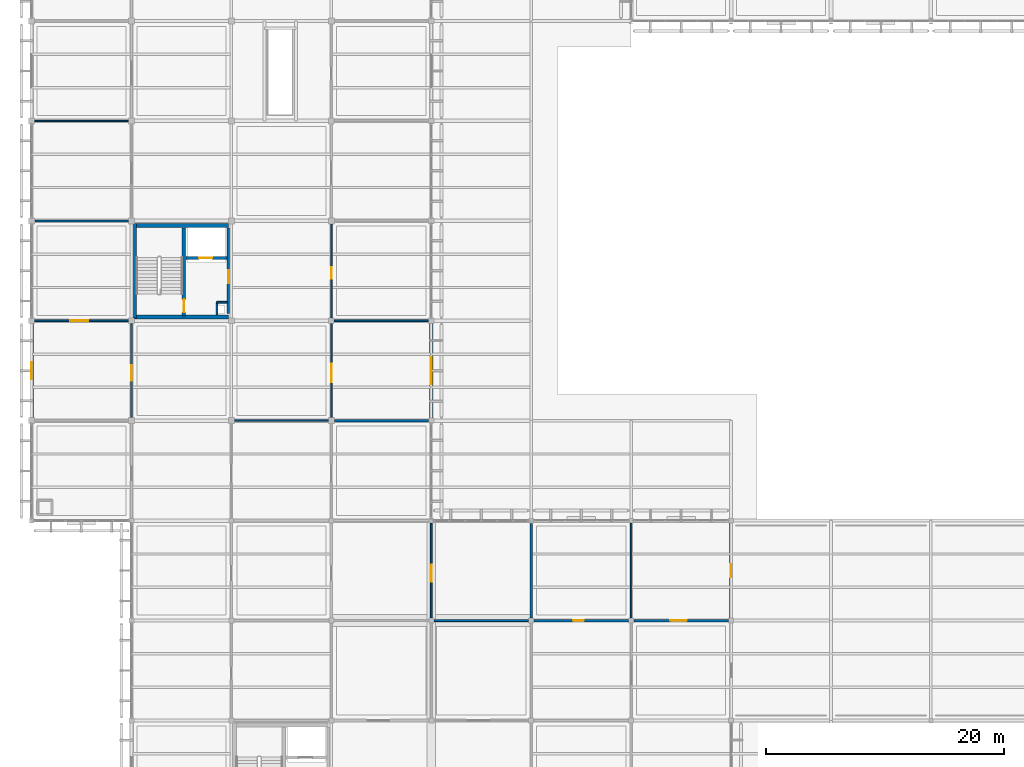
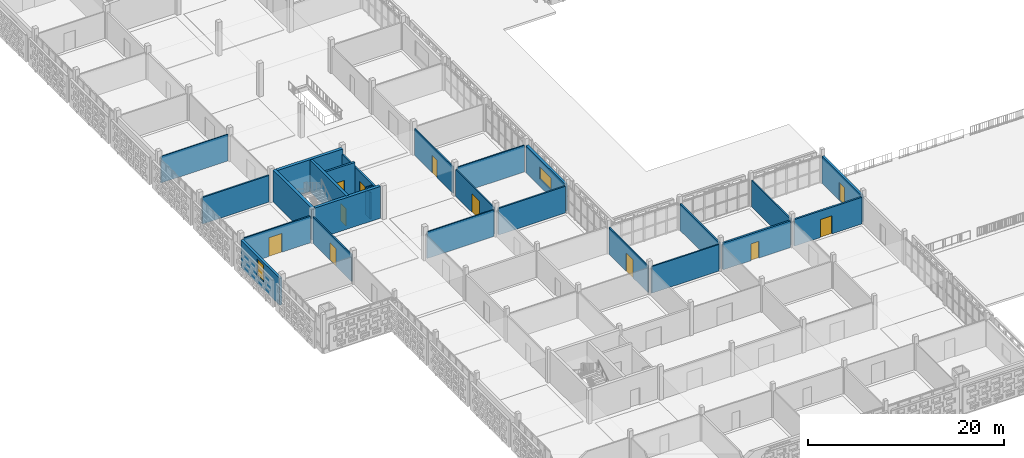
# One storey, part 98 of 166: 26 walls, 11 doors, 2 windows, 13 openings.
"""IFC4 building model written with IfcOpenShell, lengths in metres."""

import ifcopenshell
import ifcopenshell.guid

model = None  # the IFC model being written
_history = None  # IfcOwnerHistory: only IFC2X3 demands one
_inside = {}  # id of a spatial element -> (the spatial element, [elements in it])
_under = {}  # id of a project, library or spatial element -> (it, [spatial elements below it])
_declared = {}  # id of a project -> (the project, [libraries it declares])
_typed = {}  # id of a type object -> (the type object, [elements of that type])
_made_of = {}  # id of a material, layer set ... -> (it, [elements and type objects made of it])


def new_model(schema):
    """Start an empty IFC model of exactly this schema.

    Asked for "IFC4X3", IfcOpenShell would pick the latest addendum, in which some entities
    have other attributes; the version numbers below select the first issue.
    IFC2X3 requires an IfcOwnerHistory on every rooted entity: one is made here for all.
    """
    global model, _history
    if schema == "IFC4X3":
        model = ifcopenshell.file(schema_version=(4, 3, 0, 0))
    else:
        model = ifcopenshell.file(schema=schema)
    _inside.clear()
    _under.clear()
    _declared.clear()
    _typed.clear()
    _made_of.clear()
    _history = None
    if model.schema == "IFC2X3":
        org = make("IfcOrganization", Name="unknown")
        user = make(
            "IfcPersonAndOrganization",
            ThePerson=make("IfcPerson", FamilyName="unknown"),
            TheOrganization=org,
        )
        app = make(
            "IfcApplication",
            ApplicationDeveloper=org,
            Version="unknown",
            ApplicationFullName="unknown",
            ApplicationIdentifier="unknown",
        )
        _history = make(
            "IfcOwnerHistory",
            OwningUser=user,
            OwningApplication=app,
            ChangeAction="ADDED",
            CreationDate=0,
        )
    return model


def make(cls, **values):
    """One entity of the class cls with the attributes given. An attribute that is None is left unset."""
    return model.create_entity(
        cls, **{name: value for name, value in values.items() if value is not None}
    )


def rooted(cls, **values):
    """An entity with a GlobalId (a new one), such as an element, a storey or a relation."""
    return make(cls, GlobalId=ifcopenshell.guid.new(), OwnerHistory=_history, **values)


def si_unit(unit_type, name, prefix=None):
    """IfcSIUnit, for example si_unit("LENGTHUNIT", "METRE", prefix="MILLI")."""
    return make("IfcSIUnit", UnitType=unit_type, Prefix=prefix, Name=name)


def assignment(units):
    """IfcUnitAssignment: the units of a project."""
    return None if units is None else make("IfcUnitAssignment", Units=units)


def point(xyz):
    """IfcCartesianPoint."""
    return None if xyz is None else make("IfcCartesianPoint", Coordinates=xyz)


def direction(xyz):
    """IfcDirection."""
    return None if xyz is None else make("IfcDirection", DirectionRatios=xyz)


def frame(location, z_axis=None, x_axis=None):
    """IfcAxis2Placement3D, a coordinate frame: its origin and axes. An axis left out is left unset."""
    return make(
        "IfcAxis2Placement3D",
        Location=point(location),
        Axis=direction(z_axis),
        RefDirection=direction(x_axis),
    )


def frame_2d(location, x_axis=None):
    """IfcAxis2Placement2D, a coordinate frame in the plane: its origin and x axis."""
    return make(
        "IfcAxis2Placement2D", Location=point(location), RefDirection=direction(x_axis)
    )


def origin():
    """The frame at (0, 0, 0) with its axes left unset."""
    return frame((0.0, 0.0, 0.0))


def place(relative_to, where):
    """IfcLocalPlacement: puts the frame where relative to a parent placement (None: the world)."""
    return make(
        "IfcLocalPlacement", PlacementRelTo=relative_to, RelativePlacement=where
    )


def context(
    kind, dimensions, precision=None, world=None, true_north=None, identifier=None
):
    """IfcGeometricRepresentationContext, for example the 3D "Model" context."""
    return make(
        "IfcGeometricRepresentationContext",
        ContextIdentifier=identifier,
        ContextType=kind,
        CoordinateSpaceDimension=dimensions,
        Precision=precision,
        WorldCoordinateSystem=world,
        TrueNorth=true_north,
    )


def subcontext(parent, identifier, kind, view, scale=None):
    """IfcGeometricRepresentationSubContext, for example "Body" below "Model"."""
    return make(
        "IfcGeometricRepresentationSubContext",
        ContextIdentifier=identifier,
        ContextType=kind,
        ParentContext=parent,
        TargetScale=scale,
        TargetView=view,
    )


def project(units=None, contexts=None):
    """IfcProject with its units and contexts."""
    return rooted(
        "IfcProject",
        Name="project",
        RepresentationContexts=contexts,
        UnitsInContext=assignment(units),
    )


def spatial(cls, under=None, at=None, **own):
    """A site, building, storey or space (cls), placed at a placement, below another one or the project."""
    s = rooted(cls, ObjectPlacement=at, **own)
    if under is not None:
        _under.setdefault(under.id(), (under, []))[1].append(s)
    return s


def profile(cls, at=None, kind="AREA", **sizes):
    """A parametric profile (cls). Its sizes go by their IFC names, for example OverallWidth=200.0."""
    return make(cls, ProfileType=kind, Position=at, **sizes)


def rectangle(**sizes):
    """IfcRectangleProfileDef."""
    return profile("IfcRectangleProfileDef", **sizes)


def extrude(swept, where, along, depth):
    """IfcExtrudedAreaSolid: the profile swept, set in the frame where, extruded along a direction by depth."""
    return make(
        "IfcExtrudedAreaSolid",
        SweptArea=swept,
        Position=where,
        ExtrudedDirection=direction(along),
        Depth=depth,
    )


def shape(context_of_items, identifier, shape_type, items):
    """IfcShapeRepresentation: the items that make up one representation, for example the "Body"."""
    return make(
        "IfcShapeRepresentation",
        ContextOfItems=context_of_items,
        RepresentationIdentifier=identifier,
        RepresentationType=shape_type,
        Items=items,
    )


def material(Name=None, Category=None):
    """IfcMaterial."""
    return make("IfcMaterial", Name=Name, Category=Category)


def layer(
    of_material, thickness, ventilated=None, Name=None, Category=None, Priority=None
):
    """IfcMaterialLayer: one layer of a wall or slab, of a material (None: an air gap)."""
    return make(
        "IfcMaterialLayer",
        Material=of_material,
        LayerThickness=thickness,
        IsVentilated=ventilated,
        Name=Name,
        Category=Category,
        Priority=Priority,
    )


def layer_set(layers, Name=None):
    """IfcMaterialLayerSet."""
    return make("IfcMaterialLayerSet", MaterialLayers=layers, LayerSetName=Name)


def made_of(thing, what):
    """Note that an element or type object is made of a material, layer set ...; save() writes the relation."""
    if what is not None:
        _made_of.setdefault(what.id(), (what, []))[1].append(thing)
    return thing


def type_object(cls, material=None, **own):
    """A type object (cls), such as IfcWallType, which elements share."""
    return made_of(rooted(cls, **own), material)


def element(
    cls,
    number,
    at=None,
    inside=None,
    cuts=None,
    type_object=None,
    material=None,
    context=None,
    identifier="Body",
    shape_type=None,
    held_by="IfcProductDefinitionShape",
    body=None,
    shapes=None,
    **own,
):
    """One element of the class cls, such as IfcWall. Its Tag is "e" and its number.

    at: its placement. inside: the storey or other place that contains it. cuts: it is an
    opening in that element (IfcRelVoidsElement). A single representation is given by context,
    identifier, shape_type and body (its items); several are given by shapes. held_by: the class
    of the entity that holds the representations. save() writes the other relations.
    """
    e = rooted(cls, Tag="e%d" % number, ObjectPlacement=at, **own)
    if body is not None:
        shapes = [shape(context, identifier, shape_type, body)]
    if shapes is not None:
        e.Representation = make(held_by, Representations=shapes)
    if inside is not None:
        _inside.setdefault(inside.id(), (inside, []))[1].append(e)
    if cuts is not None:
        rooted(
            "IfcRelVoidsElement", RelatingBuildingElement=cuts, RelatedOpeningElement=e
        )
    if type_object is not None:
        _typed.setdefault(type_object.id(), (type_object, []))[1].append(e)
    return made_of(e, material)


def fill(opening, filler):
    """IfcRelFillsElement: the door or window that sits in an opening."""
    return rooted(
        "IfcRelFillsElement",
        RelatingOpeningElement=opening,
        RelatedBuildingElement=filler,
    )


def aggregate(whole, parts):
    """IfcRelAggregates: a whole, such as a stair, and the parts it consists of."""
    return rooted("IfcRelAggregates", RelatingObject=whole, RelatedObjects=parts)


def save(model, path):
    """Write the relations noted so far, then the file.

    IfcRelAggregates (storeys below a building ...), IfcRelContainedInSpatialStructure (elements
    in a storey), IfcRelDefinesByType, IfcRelAssociatesMaterial and IfcRelDeclares: one each for
    every whole, place, type object, material and project.
    """
    for whole, parts in _under.values():
        aggregate(whole, parts)
    for where, things in _inside.values():
        rooted(
            "IfcRelContainedInSpatialStructure",
            RelatedElements=things,
            RelatingStructure=where,
        )
    for kind, things in _typed.values():
        rooted("IfcRelDefinesByType", RelatedObjects=things, RelatingType=kind)
    for what, things in _made_of.values():
        rooted("IfcRelAssociatesMaterial", RelatedObjects=things, RelatingMaterial=what)
    for by, libraries in _declared.values():
        rooted("IfcRelDeclares", RelatingContext=by, RelatedDefinitions=libraries)
    model.write(path)


model = new_model("IFC4")

# Units and contexts
model_context = context("Model", 3, precision=1e-05, world=origin(), true_north=direction((0.0, 1.0)))
body_context = subcontext(model_context, "Body", "Model", "MODEL_VIEW")
ifc_project = project(units=[si_unit("LENGTHUNIT", "METRE"), si_unit("AREAUNIT", "SQUARE_METRE"), si_unit("VOLUMEUNIT", "CUBIC_METRE"), si_unit("PLANEANGLEUNIT", "RADIAN"), si_unit("MASSUNIT", "GRAM", prefix="KILO")], contexts=[model_context])

# Site, building, storey
site_placement = place(None, origin())
site = spatial("IfcSite", under=ifc_project, at=site_placement, CompositionType="ELEMENT")
building_placement = place(site_placement, origin())
building = spatial("IfcBuilding", under=site, at=building_placement, Name="Varnapada Polytechnic", CompositionType="ELEMENT")
storey_placement = place(building_placement, frame((0.0, 0.0, 9.60009765625)))
storey = spatial("IfcBuildingStorey", under=building, at=storey_placement, Name="L02", CompositionType="ELEMENT", Elevation=9.60009765625)

# Wall, opening, door
ifc_material_1 = material(Name="Autoclaved Aerated Concrete Block AAC-600", Category="concrete")
ifc_layer_1 = layer(ifc_material_1, 0.199951171875)
ifc_layer_set_1 = layer_set([ifc_layer_1], Name="Autoclaved Aerated Concrete Block AAC-600")
wall_type_1 = type_object("IfcWallType", Name="Interior Wall IW-01", PredefinedType="PARTITIONING", material=ifc_layer_set_1)
wall_1_placement = place(storey_placement, frame((16.5400390625, 66.60009765625, 0.0), z_axis=(0.0, 0.0, 1.0), x_axis=(0.0, -1.0, 0.0)))
wall_1 = element("IfcWall", 1, at=wall_1_placement, inside=storey, type_object=wall_type_1, Name="L02 C2 firefighting lobby east wall", PredefinedType="PARTITIONING", context=body_context, shape_type="SweptSolid", body=[
    extrude(rectangle(XDim=7.2001953125, YDim=0.199951171875, at=frame_2d((3.60009765625, 0.0))), origin(), (0.0, 0.0, 1.0), 3.31982421875),
])
opening_1_placement = place(wall_1_placement, frame((3.550048828125, 0.0, 0.0)))
opening_1 = element("IfcOpeningElement", 2, at=opening_1_placement, cuts=wall_1, Name="Opening D-1084", PredefinedType="OPENING", context=body_context, shape_type="SweptSolid", body=[
    extrude(rectangle(XDim=1.10009765625, YDim=2.14990234375, at=frame_2d((0.550048828125, 1.074951171875))), frame((0.0, 0.10986328125, 0.0), z_axis=(0.0, -1.0, 0.0), x_axis=(1.0, 0.0, 0.0)), (0.0, 0.0, 1.0), 0.219970703125),
])
ifc_material_2 = material(Name="Galvanized Steel Z275", Category="steel")
door_type_1 = type_object("IfcDoorType", Name="Interior Door ID-01", OperationType="NOTDEFINED", PredefinedType="DOOR", material=ifc_material_2)
door_1_placement = place(opening_1_placement, frame((1.10009765625, 0.0, 0.0), z_axis=(0.0, 0.0, 1.0), x_axis=(-1.0, 0.0, 0.0)))
door_1 = element("IfcDoor", 3, at=door_1_placement, inside=storey, type_object=door_type_1, Name="L02 C2 lobby fire door D-1084", OperationType="SINGLE_SWING_RIGHT", OverallHeight=2.14990234375, OverallWidth=1.10009765625, PredefinedType="DOOR", context=body_context, shape_type="SweptSolid", body=[
    extrude(rectangle(XDim=1.10009765625, YDim=2.14990234375, at=frame_2d((0.550048828125, 1.074951171875))), frame((0.0, 0.02490234375, 0.0), z_axis=(0.0, -1.0, 0.0), x_axis=(1.0, 0.0, 0.0)), (0.0, 0.0, 1.0), 0.050048828125),
])
fill(opening_1, door_1)

# Walls
ifc_layer_2 = layer(ifc_material_1, 0.14990234375)
ifc_layer_set_2 = layer_set([ifc_layer_2], Name="Autoclaved Aerated Concrete Block AAC-600")
wall_type_2 = type_object("IfcWallType", Name="Interior Wall IW-02", PredefinedType="PARTITIONING", material=ifc_layer_set_2)
wall_2_placement = place(storey_placement, frame((15.580078125, 60.360107421875, 0.0), z_axis=(0.0, 0.0, 1.0), x_axis=(0.0, -1.0, 0.0)))
element("IfcWall", 4, at=wall_2_placement, inside=storey, type_object=wall_type_2, Name="L02 C2 riser shaft west wall", PredefinedType="PARTITIONING", context=body_context, shape_type="SweptSolid", body=[
    extrude(rectangle(XDim=1.06005859375, YDim=0.14990234375, at=frame_2d((0.530029296875, 0.0))), origin(), (0.0, 0.0, 1.0), 3.31982421875),
])
wall_3_placement = place(storey_placement, frame((15.580078125, 60.360107421875, 0.0), z_axis=(0.0, 0.0, 1.0), x_axis=(1.0, 0.0, 0.0)))
element("IfcWall", 5, at=wall_3_placement, inside=storey, type_object=wall_type_2, Name="L02 C2 riser shaft north wall", PredefinedType="PARTITIONING", context=body_context, shape_type="SweptSolid", body=[
    extrude(rectangle(XDim=0.85986328125, YDim=0.14990234375, at=frame_2d((0.429931640625, 0.0))), origin(), (0.0, 0.0, 1.0), 3.31982421875),
])
ifc_material_3 = material(Name="Gypsum Plasterboard Acoustic Partition")
ifc_layer_3 = layer(ifc_material_3, 0.125)
ifc_layer_set_3 = layer_set([ifc_layer_3], Name="Gypsum Plasterboard Acoustic Partition")
wall_type_3 = type_object("IfcWallType", Name="Interior Wall IW-03", PredefinedType="PARTITIONING", material=ifc_layer_set_3)
wall_4_placement = place(storey_placement, frame((17.070068359375, 50.39990234375, 0.0), z_axis=(0.0, 0.0, 1.0), x_axis=(1.0, 0.0, 0.0)))
element("IfcWall", 6, at=wall_4_placement, inside=storey, type_object=wall_type_3, Name="L02 interior partition IW-L02-02-05-H", PredefinedType="PARTITIONING", context=body_context, shape_type="SweptSolid", body=[
    extrude(rectangle(XDim=7.85986328125, YDim=0.125, at=frame_2d((3.929931640625, 0.0))), origin(), (0.0, 0.0, 1.0), 3.31982421875),
])

# Wall, opening, door
ifc_material_4 = material(Name="Moisture-Resistant Cement Board Partition")
ifc_layer_4 = layer(ifc_material_4, 0.139892578125)
ifc_layer_set_4 = layer_set([ifc_layer_4], Name="Moisture-Resistant Cement Board Partition")
wall_type_4 = type_object("IfcWallType", Name="Interior Wall IW-04", PredefinedType="PARTITIONING", material=ifc_layer_set_4)
wall_5_placement = place(storey_placement, frame((8.39990234375, 50.669921875, 0.0), z_axis=(0.0, 0.0, 1.0), x_axis=(0.0, 1.0, 0.0)))
wall_5 = element("IfcWall", 7, at=wall_5_placement, inside=storey, type_object=wall_type_4, Name="L02 interior partition IW-L02-00-06-V", PredefinedType="PARTITIONING", context=body_context, shape_type="SweptSolid", body=[
    extrude(rectangle(XDim=7.8701171875, YDim=0.139892578125, at=frame_2d((3.93505859375, 0.0))), origin(), (0.0, 0.0, 1.0), 3.31982421875),
])
opening_2_placement = place(wall_5_placement, frame((3.10009765625, 0.0, 0.0)))
opening_2 = element("IfcOpeningElement", 8, at=opening_2_placement, cuts=wall_5, Name="Opening D-1097", PredefinedType="OPENING", context=body_context, shape_type="SweptSolid", body=[
    extrude(rectangle(XDim=1.300048828125, YDim=2.199951171875, at=frame_2d((0.64990234375, 1.10009765625))), frame((0.0, 0.079833984375, 0.0), z_axis=(0.0, -1.0, 0.0), x_axis=(1.0, 0.0, 0.0)), (0.0, 0.0, 1.0), 0.159912109375),
])
ifc_material_5 = material(Name="Acoustic Laminated Timber Leaf", Category="wood")
door_type_2 = type_object("IfcDoorType", Name="Interior Door ID-11", OperationType="NOTDEFINED", PredefinedType="DOOR", material=ifc_material_5)
door_2_placement = place(opening_2_placement, frame((1.300048828125, 0.0, 0.0), z_axis=(0.0, 0.0, 1.0), x_axis=(-1.0, 0.0, 0.0)))
door_2 = element("IfcDoor", 9, at=door_2_placement, inside=storey, type_object=door_type_2, Name="L02 interior room door D-1097", OperationType="SINGLE_SWING_RIGHT", OverallHeight=2.199951171875, OverallWidth=1.300048828125, PredefinedType="DOOR", context=body_context, shape_type="SweptSolid", body=[
    extrude(rectangle(XDim=1.300048828125, YDim=2.199951171875, at=frame_2d((0.64990234375, 1.10009765625))), frame((0.0, 0.02490234375, 0.0), z_axis=(0.0, -1.0, 0.0), x_axis=(1.0, 0.0, 0.0)), (0.0, 0.0, 1.0), 0.050048828125),
])
fill(opening_2, door_2)

wall_6_placement = place(storey_placement, frame((25.199951171875, 50.669921875, 0.0), z_axis=(0.0, 0.0, 1.0), x_axis=(0.0, 1.0, 0.0)))
wall_6 = element("IfcWall", 10, at=wall_6_placement, inside=storey, type_object=wall_type_4, Name="L02 interior partition IW-L02-02-06-V", PredefinedType="PARTITIONING", context=body_context, shape_type="SweptSolid", body=[
    extrude(rectangle(XDim=7.8701171875, YDim=0.139892578125, at=frame_2d((3.93505859375, 0.0))), origin(), (0.0, 0.0, 1.0), 3.31982421875),
])
opening_3_placement = place(wall_6_placement, frame((2.97509765625, 0.0, 0.0)))
opening_3 = element("IfcOpeningElement", 11, at=opening_3_placement, cuts=wall_6, Name="Opening D-1115", PredefinedType="OPENING", context=body_context, shape_type="SweptSolid", body=[
    extrude(rectangle(XDim=1.550048828125, YDim=2.35009765625, at=frame_2d((0.77490234375, 1.175048828125))), frame((0.0, 0.079833984375, 0.0), z_axis=(0.0, -1.0, 0.0), x_axis=(1.0, 0.0, 0.0)), (0.0, 0.0, 1.0), 0.159912109375),
])
door_type_3 = type_object("IfcDoorType", Name="Interior Door ID-12", OperationType="NOTDEFINED", PredefinedType="DOOR", material=ifc_material_2)
door_3_placement = place(opening_3_placement, frame((1.550048828125, 0.0, 0.0), z_axis=(0.0, 0.0, 1.0), x_axis=(-1.0, 0.0, 0.0)))
door_3 = element("IfcDoor", 12, at=door_3_placement, inside=storey, type_object=door_type_3, Name="L02 interior room door D-1115", OperationType="SINGLE_SWING_RIGHT", OverallHeight=2.35009765625, OverallWidth=1.550048828125, PredefinedType="DOOR", context=body_context, shape_type="SweptSolid", body=[
    extrude(rectangle(XDim=1.550048828125, YDim=2.35009765625, at=frame_2d((0.77490234375, 1.175048828125))), frame((0.0, 0.02490234375, 0.0), z_axis=(0.0, -1.0, 0.0), x_axis=(1.0, 0.0, 0.0)), (0.0, 0.0, 1.0), 0.050048828125),
])
fill(opening_3, door_3)

wall_7_placement = place(storey_placement, frame((25.199951171875, 59.06005859375, 0.0), z_axis=(0.0, 0.0, 1.0), x_axis=(0.0, 1.0, 0.0)))
wall_7 = element("IfcWall", 13, at=wall_7_placement, inside=storey, type_object=wall_type_4, Name="L02 interior partition IW-L02-02-07-V", PredefinedType="PARTITIONING", context=body_context, shape_type="SweptSolid", body=[
    extrude(rectangle(XDim=7.869873046875, YDim=0.139892578125, at=frame_2d((3.93505859375, 0.0))), origin(), (0.0, 0.0, 1.0), 3.31982421875),
])
opening_4_placement = place(wall_7_placement, frame((3.27490234375, 0.0, 0.0)))
opening_4 = element("IfcOpeningElement", 14, at=opening_4_placement, cuts=wall_7, Name="Opening D-1116", PredefinedType="OPENING", context=body_context, shape_type="SweptSolid", body=[
    extrude(rectangle(XDim=0.949951171875, YDim=2.14990234375, at=frame_2d((0.47509765625, 1.074951171875))), frame((0.0, 0.079833984375, 0.0), z_axis=(0.0, -1.0, 0.0), x_axis=(1.0, 0.0, 0.0)), (0.0, 0.0, 1.0), 0.159912109375),
])
ifc_material_6 = material(Name="Moisture-Resistant HPL Timber", Category="wood")
door_type_4 = type_object("IfcDoorType", Name="Interior Door ID-03", OperationType="NOTDEFINED", PredefinedType="DOOR", material=ifc_material_6)
door_4_placement = place(opening_4_placement, origin())
door_4 = element("IfcDoor", 15, at=door_4_placement, inside=storey, type_object=door_type_4, Name="L02 interior room door D-1116", OperationType="SINGLE_SWING_LEFT", OverallHeight=2.14990234375, OverallWidth=0.949951171875, PredefinedType="DOOR", context=body_context, shape_type="SweptSolid", body=[
    extrude(rectangle(XDim=0.949951171875, YDim=2.14990234375, at=frame_2d((0.47509765625, 1.074951171875))), frame((0.0, 0.02490234375, 0.0), z_axis=(0.0, -1.0, 0.0), x_axis=(1.0, 0.0, 0.0)), (0.0, 0.0, 1.0), 0.050048828125),
])
fill(opening_4, door_4)

wall_8_placement = place(storey_placement, frame((33.60009765625, 33.830078125, 0.0), z_axis=(0.0, 0.0, 1.0), x_axis=(0.0, 1.0, 0.0)))
wall_8 = element("IfcWall", 16, at=wall_8_placement, inside=storey, type_object=wall_type_4, Name="L02 interior partition IW-L02-03-04-V", PredefinedType="PARTITIONING", context=body_context, shape_type="SweptSolid", body=[
    extrude(rectangle(XDim=7.9599609375, YDim=0.139892578125, at=frame_2d((3.97998046875, 0.0))), origin(), (0.0, 0.0, 1.0), 3.31982421875),
])
opening_5_placement = place(wall_8_placement, frame((3.050048828125, 0.0, 0.0)))
opening_5 = element("IfcOpeningElement", 17, at=opening_5_placement, cuts=wall_8, Name="Opening D-1126", PredefinedType="OPENING", context=body_context, shape_type="SweptSolid", body=[
    extrude(rectangle(XDim=1.39990234375, YDim=2.25, at=frame_2d((0.699951171875, 1.125))), frame((0.0, 0.079833984375, 0.0), z_axis=(0.0, -1.0, 0.0), x_axis=(1.0, 0.0, 0.0)), (0.0, 0.0, 1.0), 0.159912109375),
])
ifc_material_7 = material(Name="Powder-Coated Aluminium 6063-T6", Category="aluminium")
door_type_5 = type_object("IfcDoorType", Name="Interior Door ID-06", OperationType="NOTDEFINED", PredefinedType="DOOR", material=ifc_material_7)
door_5_placement = place(opening_5_placement, origin())
door_5 = element("IfcDoor", 18, at=door_5_placement, inside=storey, type_object=door_type_5, Name="L02 interior room door D-1126", OperationType="SINGLE_SWING_LEFT", OverallHeight=2.25, OverallWidth=1.39990234375, PredefinedType="DOOR", context=body_context, shape_type="SweptSolid", body=[
    extrude(rectangle(XDim=1.39990234375, YDim=2.25, at=frame_2d((0.699951171875, 1.125))), frame((0.0, 0.02490234375, 0.0), z_axis=(0.0, -1.0, 0.0), x_axis=(1.0, 0.0, 0.0)), (0.0, 0.0, 1.0), 0.050048828125),
])
fill(opening_5, door_5)

# Wall
wall_9_placement = place(storey_placement, frame((25.4599609375, 58.800048828125, 0.0), z_axis=(0.0, 0.0, 1.0), x_axis=(1.0, 0.0, 0.0)))
element("IfcWall", 19, at=wall_9_placement, inside=storey, type_object=wall_type_4, Name="L02 interior partition IW-L02-03-06-H", PredefinedType="PARTITIONING", context=body_context, shape_type="SweptSolid", body=[
    extrude(rectangle(XDim=7.900146484375, YDim=0.139892578125, at=frame_2d((3.9501953125, 0.0))), origin(), (0.0, 0.0, 1.0), 3.31982421875),
])

# Wall, opening, door
ifc_material_8 = material(Name="Cross-laminated timber CLT C24", Category="wood")
ifc_layer_5 = layer(ifc_material_8, 0.159912109375)
ifc_layer_set_5 = layer_set([ifc_layer_5], Name="Cross-laminated timber CLT C24")
wall_type_5 = type_object("IfcWallType", Name="Interior Wall IW-05", PredefinedType="PARTITIONING", material=ifc_layer_set_5)
wall_10_placement = place(storey_placement, frame((0.260009765625, 58.800048828125, 0.0), z_axis=(0.0, 0.0, 1.0), x_axis=(1.0, 0.0, 0.0)))
wall_10 = element("IfcWall", 20, at=wall_10_placement, inside=storey, type_object=wall_type_5, Name="L02 interior partition IW-L02-00-06-H", PredefinedType="PARTITIONING", context=body_context, shape_type="SweptSolid", body=[
    extrude(rectangle(XDim=7.8798828125, YDim=0.159912109375, at=frame_2d((3.93994140625, 0.0))), origin(), (0.0, 0.0, 1.0), 3.31982421875),
])
opening_6_placement = place(wall_10_placement, frame((2.97509765625, 0.0, 0.0)))
opening_6 = element("IfcOpeningElement", 21, at=opening_6_placement, cuts=wall_10, Name="Opening D-1098", PredefinedType="OPENING", context=body_context, shape_type="SweptSolid", body=[
    extrude(rectangle(XDim=1.550048828125, YDim=2.35009765625, at=frame_2d((0.77490234375, 1.175048828125))), frame((0.0, 0.08984375, 0.0), z_axis=(0.0, -1.0, 0.0), x_axis=(1.0, 0.0, 0.0)), (0.0, 0.0, 1.0), 0.179931640625),
])
door_6_placement = place(opening_6_placement, origin())
door_6 = element("IfcDoor", 22, at=door_6_placement, inside=storey, type_object=door_type_3, Name="L02 interior room door D-1098", OperationType="SINGLE_SWING_LEFT", OverallHeight=2.35009765625, OverallWidth=1.550048828125, PredefinedType="DOOR", context=body_context, shape_type="SweptSolid", body=[
    extrude(rectangle(XDim=1.550048828125, YDim=2.35009765625, at=frame_2d((0.77490234375, 1.175048828125))), frame((0.0, 0.02490234375, 0.0), z_axis=(0.0, -1.0, 0.0), x_axis=(1.0, 0.0, 0.0)), (0.0, 0.0, 1.0), 0.050048828125),
])
fill(opening_6, door_6)

# Walls
wall_11_placement = place(storey_placement, frame((33.830078125, 33.60009765625, 0.0), z_axis=(0.0, 0.0, 1.0), x_axis=(1.0, 0.0, 0.0)))
element("IfcWall", 23, at=wall_11_placement, inside=storey, type_object=wall_type_5, Name="L02 interior partition IW-L02-04-03-H", PredefinedType="PARTITIONING", context=body_context, shape_type="SweptSolid", body=[
    extrude(rectangle(XDim=7.93994140625, YDim=0.159912109375, at=frame_2d((3.969970703125, 0.0))), origin(), (0.0, 0.0, 1.0), 3.31982421875),
])
ifc_material_9 = material(Name="Acoustic Double-Stud Studio Partition")
ifc_layer_6 = layer(ifc_material_9, 0.179931640625)
ifc_layer_set_6 = layer_set([ifc_layer_6], Name="Acoustic Double-Stud Studio Partition")
wall_type_6 = type_object("IfcWallType", Name="Interior Wall IW-06", PredefinedType="PARTITIONING", material=ifc_layer_set_6)
wall_12_placement = place(storey_placement, frame((0.27001953125, 67.199951171875, 0.0), z_axis=(0.0, 0.0, 1.0), x_axis=(1.0, 0.0, 0.0)))
element("IfcWall", 24, at=wall_12_placement, inside=storey, type_object=wall_type_6, Name="L02 interior partition IW-L02-00-07-H", PredefinedType="PARTITIONING", context=body_context, shape_type="SweptSolid", body=[
    extrude(rectangle(XDim=7.85986328125, YDim=0.179931640625, at=frame_2d((3.929931640625, 0.0))), origin(), (0.0, 0.0, 1.0), 3.31982421875),
])
wall_13_placement = place(storey_placement, frame((25.469970703125, 50.39990234375, 0.0), z_axis=(0.0, 0.0, 1.0), x_axis=(1.0, 0.0, 0.0)))
element("IfcWall", 25, at=wall_13_placement, inside=storey, type_object=wall_type_6, Name="L02 interior partition IW-L02-03-05-H", PredefinedType="PARTITIONING", context=body_context, shape_type="SweptSolid", body=[
    extrude(rectangle(XDim=7.900146484375, YDim=0.179931640625, at=frame_2d((3.9501953125, 0.0))), origin(), (0.0, 0.0, 1.0), 3.31982421875),
])
wall_14_placement = place(storey_placement, frame((42.0, 33.830078125, 0.0), z_axis=(0.0, 0.0, 1.0), x_axis=(0.0, 1.0, 0.0)))
element("IfcWall", 26, at=wall_14_placement, inside=storey, type_object=wall_type_6, Name="L02 interior partition IW-L02-04-04-V", PredefinedType="PARTITIONING", context=body_context, shape_type="SweptSolid", body=[
    extrude(rectangle(XDim=7.949951171875, YDim=0.179931640625, at=frame_2d((3.97509765625, 0.0))), origin(), (0.0, 0.0, 1.0), 3.31982421875),
])
ifc_material_10 = material(Name="Operable Acoustic Seminar Partition")
ifc_layer_7 = layer(ifc_material_10, 0.10009765625)
ifc_layer_set_7 = layer_set([ifc_layer_7], Name="Operable Acoustic Seminar Partition")
wall_type_7 = type_object("IfcWallType", Name="Interior Wall IW-08", PredefinedType="MOVABLE", material=ifc_layer_set_7)
wall_15_placement = place(storey_placement, frame((0.260009765625, 75.60009765625, 0.0), z_axis=(0.0, 0.0, 1.0), x_axis=(1.0, 0.0, 0.0)))
element("IfcWall", 27, at=wall_15_placement, inside=storey, type_object=wall_type_7, Name="L02 interior partition IW-L02-00-08-H", PredefinedType="MOVABLE", context=body_context, shape_type="SweptSolid", body=[
    extrude(rectangle(XDim=7.8798828125, YDim=0.10009765625, at=frame_2d((3.93994140625, 0.0))), origin(), (0.0, 0.0, 1.0), 3.31982421875),
])

# Wall, opening, door
ifc_material_11 = material(Name="Heavy Acoustic Auditorium Baffle Wall")
ifc_layer_8 = layer(ifc_material_11, 0.219970703125)
ifc_layer_set_8 = layer_set([ifc_layer_8], Name="Heavy Acoustic Auditorium Baffle Wall")
wall_type_8 = type_object("IfcWallType", Name="Interior Wall IW-13", PredefinedType="PARTITIONING", material=ifc_layer_set_8)
wall_16_placement = place(storey_placement, frame((42.22998046875, 33.60009765625, 0.0), z_axis=(0.0, 0.0, 1.0), x_axis=(1.0, 0.0, 0.0)))
wall_16 = element("IfcWall", 28, at=wall_16_placement, inside=storey, type_object=wall_type_8, Name="L02 interior partition IW-L02-05-03-H", PredefinedType="PARTITIONING", context=body_context, shape_type="SweptSolid", body=[
    extrude(rectangle(XDim=7.93994140625, YDim=0.219970703125, at=frame_2d((3.969970703125, 0.0))), origin(), (0.0, 0.0, 1.0), 3.31982421875),
])
opening_7_placement = place(wall_16_placement, frame((3.300048828125, 0.0, 0.0)))
opening_7 = element("IfcOpeningElement", 29, at=opening_7_placement, cuts=wall_16, Name="Opening D-1135", PredefinedType="OPENING", context=body_context, shape_type="SweptSolid", body=[
    extrude(rectangle(XDim=0.89990234375, YDim=2.10009765625, at=frame_2d((0.449951171875, 1.050048828125))), frame((0.0, 0.119873046875, 0.0), z_axis=(0.0, -1.0, 0.0), x_axis=(1.0, 0.0, 0.0)), (0.0, 0.0, 1.0), 0.239990234375),
])
door_type_6 = type_object("IfcDoorType", Name="Interior Door ID-15", OperationType="NOTDEFINED", PredefinedType="DOOR", material=ifc_material_6)
door_7_placement = place(opening_7_placement, origin())
door_7 = element("IfcDoor", 30, at=door_7_placement, inside=storey, type_object=door_type_6, Name="L02 interior room door D-1135", OperationType="SINGLE_SWING_RIGHT", OverallHeight=2.10009765625, OverallWidth=0.89990234375, PredefinedType="DOOR", context=body_context, shape_type="SweptSolid", body=[
    extrude(rectangle(XDim=0.89990234375, YDim=2.10009765625, at=frame_2d((0.449951171875, 1.050048828125))), frame((0.0, 0.02490234375, 0.0), z_axis=(0.0, -1.0, 0.0), x_axis=(1.0, 0.0, 0.0)), (0.0, 0.0, 1.0), 0.050048828125),
])
fill(opening_7, door_7)

# Wall
ifc_material_12 = material(Name="Ceramic-Tiled Wet Laboratory Wall")
ifc_layer_9 = layer(ifc_material_12, 0.14501953125)
ifc_layer_set_9 = layer_set([ifc_layer_9], Name="Ceramic-Tiled Wet Laboratory Wall")
wall_type_9 = type_object("IfcWallType", Name="Interior Wall IW-14", PredefinedType="PARTITIONING", material=ifc_layer_set_9)
wall_17_placement = place(storey_placement, frame((50.39990234375, 33.830078125, 0.0), z_axis=(0.0, 0.0, 1.0), x_axis=(0.0, 1.0, 0.0)))
element("IfcWall", 31, at=wall_17_placement, inside=storey, type_object=wall_type_9, Name="L02 interior partition IW-L02-05-04-V", PredefinedType="PARTITIONING", context=body_context, shape_type="SweptSolid", body=[
    extrude(rectangle(XDim=7.9599609375, YDim=0.14501953125, at=frame_2d((3.97998046875, 0.0))), origin(), (0.0, 0.0, 1.0), 3.31982421875),
])

# Wall, opening, door
ifc_material_13 = material(Name="Heavy Masonry Workshop Partition", Category="masonry")
ifc_layer_10 = layer(ifc_material_13, 0.2099609375)
ifc_layer_set_10 = layer_set([ifc_layer_10], Name="Heavy Masonry Workshop Partition")
wall_type_10 = type_object("IfcWallType", Name="Interior Wall IW-16", PredefinedType="PARTITIONING", material=ifc_layer_set_10)
wall_18_placement = place(storey_placement, frame((50.6298828125, 33.60009765625, 0.0), z_axis=(0.0, 0.0, 1.0), x_axis=(1.0, 0.0, 0.0)))
wall_18 = element("IfcWall", 32, at=wall_18_placement, inside=storey, type_object=wall_type_10, Name="L02 interior partition IW-L02-06-03-H", PredefinedType="PARTITIONING", context=body_context, shape_type="SweptSolid", body=[
    extrude(rectangle(XDim=7.9501953125, YDim=0.2099609375, at=frame_2d((3.97509765625, 0.0))), origin(), (0.0, 0.0, 1.0), 3.31982421875),
])
opening_8_placement = place(wall_18_placement, frame((3.074951171875, 0.0, 0.0)))
opening_8 = element("IfcOpeningElement", 33, at=opening_8_placement, cuts=wall_18, Name="Opening D-1137", PredefinedType="OPENING", context=body_context, shape_type="SweptSolid", body=[
    extrude(rectangle(XDim=1.35009765625, YDim=2.25, at=frame_2d((0.675048828125, 1.125))), frame((0.0, 0.114990234375, 0.0), z_axis=(0.0, -1.0, 0.0), x_axis=(1.0, 0.0, 0.0)), (0.0, 0.0, 1.0), 0.22998046875),
])
door_type_7 = type_object("IfcDoorType", Name="Interior Door ID-17", OperationType="NOTDEFINED", PredefinedType="DOOR", material=ifc_material_7)
door_8_placement = place(opening_8_placement, origin())
door_8 = element("IfcDoor", 34, at=door_8_placement, inside=storey, type_object=door_type_7, Name="L02 interior room door D-1137", OperationType="SINGLE_SWING_RIGHT", OverallHeight=2.25, OverallWidth=1.35009765625, PredefinedType="DOOR", context=body_context, shape_type="SweptSolid", body=[
    extrude(rectangle(XDim=1.35009765625, YDim=2.25, at=frame_2d((0.675048828125, 1.125))), frame((0.0, 0.02490234375, 0.0), z_axis=(0.0, -1.0, 0.0), x_axis=(1.0, 0.0, 0.0)), (0.0, 0.0, 1.0), 0.050048828125),
])
fill(opening_8, door_8)

# Walls
ifc_material_14 = material(Name="Concrete C40/50", Category="concrete")
ifc_layer_11 = layer(ifc_material_14, 0.35009765625)
ifc_layer_set_11 = layer_set([ifc_layer_11], Name="Concrete C40/50")
wall_type_11 = type_object("IfcWallType", Name="Interior Wall SW-01", PredefinedType="SHEAR", material=ifc_layer_set_11)
wall_19_placement = place(storey_placement, frame((8.6650390625, 59.050048828125, 0.0), z_axis=(0.0, 0.0, 1.0), x_axis=(0.0, 1.0, 0.0)))
element("IfcWall", 35, at=wall_19_placement, inside=storey, type_object=wall_type_11, Name="L02 C2 stair west shear wall", PredefinedType="SHEAR", context=body_context, shape_type="SweptSolid", body=[
    extrude(rectangle(XDim=7.93994140625, YDim=0.35009765625, at=frame_2d((3.969970703125, 0.0))), origin(), (0.0, 0.0, 1.0), 3.9599609375),
])
for number, where, z_axis, x_axis, name in (
    (36, (8.6650390625, 66.820068359375, 0.0), (0.0, 0.0, 1.0), (1.0, 0.0, 0.0), "L02 C2 core north shear wall"),
    (37, (16.5400390625, 59.1201171875, 0.0), (0.0, 0.0, 1.0), (-1.0, 0.0, 0.0), "L02 C2 core south shear wall"),
):
    element("IfcWall", number, at=place(storey_placement, frame(where, z_axis=z_axis, x_axis=x_axis)), inside=storey, type_object=wall_type_11, Name=name, PredefinedType="SHEAR", context=body_context, shape_type="SweptSolid", body=[
        extrude(rectangle(XDim=7.875, YDim=0.35009765625, at=frame_2d((3.9375, 0.0))), origin(), (0.0, 0.0, 1.0), 3.9599609375),
    ])

# Wall, opening, door
ifc_layer_12 = layer(ifc_material_14, 0.300048828125)
ifc_layer_set_12 = layer_set([ifc_layer_12], Name="Concrete C40/50")
wall_type_12 = type_object("IfcWallType", Name="Interior Wall SW-02", PredefinedType="SHEAR", material=ifc_layer_set_12)
wall_20_placement = place(storey_placement, frame((12.81005859375, 59.219970703125, 0.0), z_axis=(0.0, 0.0, 1.0), x_axis=(0.0, 1.0, 0.0)))
wall_20 = element("IfcWall", 38, at=wall_20_placement, inside=storey, type_object=wall_type_12, Name="L02 C2 stair-lobby dividing shear wall", PredefinedType="SHEAR", context=body_context, shape_type="SweptSolid", body=[
    extrude(rectangle(XDim=7.380126953125, YDim=0.300048828125, at=frame_2d((3.68994140625, 0.0))), origin(), (0.0, 0.0, 1.0), 3.9599609375),
])
opening_9_placement = place(wall_20_placement, frame((0.280029296875, 0.0, 0.0)))
opening_9 = element("IfcOpeningElement", 39, at=opening_9_placement, cuts=wall_20, Name="Opening D-1085", PredefinedType="OPENING", context=body_context, shape_type="SweptSolid", body=[
    extrude(rectangle(XDim=1.10009765625, YDim=2.14990234375, at=frame_2d((0.550048828125, 1.074951171875))), frame((0.0, 0.159912109375, 0.0), z_axis=(0.0, -1.0, 0.0), x_axis=(1.0, 0.0, 0.0)), (0.0, 0.0, 1.0), 0.320068359375),
])
door_9_placement = place(opening_9_placement, origin())
door_9 = element("IfcDoor", 40, at=door_9_placement, inside=storey, type_object=door_type_1, Name="L02 C2 exit stair door D-1085", OperationType="SINGLE_SWING_RIGHT", OverallHeight=2.14990234375, OverallWidth=1.10009765625, PredefinedType="DOOR", context=body_context, shape_type="SweptSolid", body=[
    extrude(rectangle(XDim=1.10009765625, YDim=2.14990234375, at=frame_2d((0.550048828125, 1.074951171875))), frame((0.0, 0.02490234375, 0.0), z_axis=(0.0, -1.0, 0.0), x_axis=(1.0, 0.0, 0.0)), (0.0, 0.0, 1.0), 0.050048828125),
])
fill(opening_9, door_9)

ifc_layer_13 = layer(ifc_material_14, 0.25)
ifc_layer_set_13 = layer_set([ifc_layer_13], Name="Concrete C40/50")
wall_type_13 = type_object("IfcWallType", Name="Interior Wall SW-05", PredefinedType="SHEAR", material=ifc_layer_set_13)
wall_21_placement = place(storey_placement, frame((12.97998046875, 64.080078125, 0.0), z_axis=(0.0, 0.0, 1.0), x_axis=(1.0, 0.0, 0.0)))
wall_21 = element("IfcWall", 41, at=wall_21_placement, inside=storey, type_object=wall_type_13, Name="L02 C2 lift shaft front wall", PredefinedType="SHEAR", context=body_context, shape_type="SweptSolid", body=[
    extrude(rectangle(XDim=3.4599609375, YDim=0.25, at=frame_2d((1.72998046875, 0.0))), origin(), (0.0, 0.0, 1.0), 3.9599609375),
])
opening_10_placement = place(wall_21_placement, frame((1.10009765625, 0.0, 0.0)))
opening_10 = element("IfcOpeningElement", 42, at=opening_10_placement, cuts=wall_21, Name="Opening LD-019", PredefinedType="OPENING", context=body_context, shape_type="SweptSolid", body=[
    extrude(rectangle(XDim=1.10009765625, YDim=2.14990234375, at=frame_2d((0.550048828125, 1.074951171875))), frame((0.0, 0.135009765625, 0.0), z_axis=(0.0, -1.0, 0.0), x_axis=(1.0, 0.0, 0.0)), (0.0, 0.0, 1.0), 0.27001953125),
])
ifc_material_15 = material(Name="Brushed Stainless Steel 316", Category="steel")
door_type_8 = type_object("IfcDoorType", Name="Interior Door LD-01", OperationType="NOTDEFINED", PredefinedType="DOOR", material=ifc_material_15)
door_10_placement = place(opening_10_placement, origin())
door_10 = element("IfcDoor", 43, at=door_10_placement, inside=storey, type_object=door_type_8, Name="L02 LFT-02 sliding lift landing door LD-019", OperationType="DOUBLE_DOOR_SLIDING", OverallHeight=2.14990234375, OverallWidth=1.10009765625, PredefinedType="DOOR", context=body_context, shape_type="SweptSolid", body=[
    extrude(rectangle(XDim=1.10009765625, YDim=2.14990234375, at=frame_2d((0.550048828125, 1.074951171875))), frame((0.0, 0.02490234375, 0.0), z_axis=(0.0, -1.0, 0.0), x_axis=(1.0, 0.0, 0.0)), (0.0, 0.0, 1.0), 0.050048828125),
])
fill(opening_10, door_10)

# Wall, opening, window
ifc_material_16 = material(Name="Precast concrete C40/50", Category="concrete")
ifc_layer_14 = layer(ifc_material_16, 0.300048828125)
ifc_layer_set_14 = layer_set([ifc_layer_14], Name="Precast concrete C40/50")
wall_type_14 = type_object("IfcWallType", Name="Wall EW-01", PredefinedType="SOLIDWALL", material=ifc_layer_set_14)
wall_22_placement = place(storey_placement, frame((0.0, 50.64990234375, 0.0), z_axis=(0.0, 0.0, 1.0), x_axis=(0.0, 1.0, 0.0)))
wall_22 = element("IfcWall", 44, at=wall_22_placement, inside=storey, type_object=wall_type_14, Name="L02 exterior wall EW-01 (3)", PredefinedType="SOLIDWALL", context=body_context, shape_type="SweptSolid", body=[
    extrude(rectangle(XDim=7.91015625, YDim=0.300048828125, at=frame_2d((3.955078125, 0.0))), origin(), (0.0, 0.0, 1.0), 3.35986328125),
])
opening_11_placement = place(wall_22_placement, frame((3.2548828125, 0.0, 0.89990234375)))
opening_11 = element("IfcOpeningElement", 45, at=opening_11_placement, cuts=wall_22, Name="Opening WN-04", PredefinedType="OPENING", context=body_context, shape_type="SweptSolid", body=[
    extrude(rectangle(XDim=1.39990234375, YDim=2.10009765625, at=frame_2d((0.699951171875, 1.050048828125))), frame((0.0, 0.159912109375, 0.0), z_axis=(0.0, -1.0, 0.0), x_axis=(1.0, 0.0, 0.0)), (0.0, 0.0, 1.0), 0.320068359375),
])
ifc_material_17 = material(Name="Double low-E laminated glass", Category="glass")
window_type_1 = type_object("IfcWindowType", Name="Window WN-04", PartitioningType="SINGLE_PANEL", PredefinedType="WINDOW", material=ifc_material_17)
window_1_placement = place(opening_11_placement, origin())
window_1 = element("IfcWindow", 46, at=window_1_placement, inside=storey, type_object=window_type_1, Name="L02 window WN-04 (104)", OverallHeight=2.10009765625, OverallWidth=1.39990234375, PartitioningType="SINGLE_PANEL", PredefinedType="WINDOW", context=body_context, shape_type="SweptSolid", body=[
    extrude(rectangle(XDim=1.39990234375, YDim=2.10009765625, at=frame_2d((0.699951171875, 1.050048828125))), frame((0.0, 0.030029296875, 0.0), z_axis=(0.0, -1.0, 0.0), x_axis=(1.0, 0.0, 0.0)), (0.0, 0.0, 1.0), 0.06005859375),
])
fill(opening_11, window_1)

wall_23_placement = place(storey_placement, frame((33.60009765625, 58.580078125, 0.0), z_axis=(0.0, 0.0, 1.0), x_axis=(0.0, -1.0, 0.0)))
wall_23 = element("IfcWall", 47, at=wall_23_placement, inside=storey, type_object=wall_type_14, Name="L02 exterior wall EW-01 (24)", PredefinedType="SOLIDWALL", context=body_context, shape_type="SweptSolid", body=[
    extrude(rectangle(XDim=7.969970703125, YDim=0.300048828125, at=frame_2d((3.98486328125, 0.0))), origin(), (0.0, 0.0, 1.0), 3.35986328125),
])
opening_12_placement = place(wall_23_placement, frame((2.8349609375, 0.0, 0.89990234375)))
opening_12 = element("IfcOpeningElement", 48, at=opening_12_placement, cuts=wall_23, Name="Opening WN-19", PredefinedType="OPENING", context=body_context, shape_type="SweptSolid", body=[
    extrude(rectangle(XDim=2.300048828125, YDim=1.5, at=frame_2d((1.14990234375, 0.75))), frame((0.0, 0.159912109375, 0.0), z_axis=(0.0, -1.0, 0.0), x_axis=(1.0, 0.0, 0.0)), (0.0, 0.0, 1.0), 0.320068359375),
])
window_type_2 = type_object("IfcWindowType", Name="Window WN-19", PartitioningType="SINGLE_PANEL", PredefinedType="WINDOW", material=ifc_material_17)
window_2_placement = place(opening_12_placement, origin())
window_2 = element("IfcWindow", 49, at=window_2_placement, inside=storey, type_object=window_type_2, Name="L02 window WN-19 (110)", OverallHeight=1.5, OverallWidth=2.300048828125, PartitioningType="SINGLE_PANEL", PredefinedType="WINDOW", context=body_context, shape_type="SweptSolid", body=[
    extrude(rectangle(XDim=2.300048828125, YDim=1.5, at=frame_2d((1.14990234375, 0.75))), frame((0.0, 0.030029296875, 0.0), z_axis=(0.0, -1.0, 0.0), x_axis=(1.0, 0.0, 0.0)), (0.0, 0.0, 1.0), 0.06005859375),
])
fill(opening_12, window_2)

# Wall, opening, door
ifc_layer_15 = layer(ifc_material_16, 0.260009765625)
ifc_layer_set_15 = layer_set([ifc_layer_15], Name="Precast concrete C40/50")
wall_type_15 = type_object("IfcWallType", Name="Wall EW-03", PredefinedType="SOLIDWALL", material=ifc_layer_set_15)
wall_24_placement = place(storey_placement, frame((58.800048828125, 41.800048828125, 0.0), z_axis=(0.0, 0.0, 1.0), x_axis=(0.0, -1.0, 0.0)))
wall_24 = element("IfcWall", 50, at=wall_24_placement, inside=storey, type_object=wall_type_15, Name="L02 exterior wall EW-03 (44)", PredefinedType="SOLIDWALL", context=body_context, shape_type="SweptSolid", body=[
    extrude(rectangle(XDim=8.0, YDim=0.260009765625, at=frame_2d((4.0, 0.0))), origin(), (0.0, 0.0, 1.0), 3.35986328125),
])
opening_13_placement = place(wall_24_placement, frame((3.449951171875, 0.0, 0.0)))
opening_13 = element("IfcOpeningElement", 51, at=opening_13_placement, cuts=wall_24, Name="Opening D-029", PredefinedType="OPENING", context=body_context, shape_type="SweptSolid", body=[
    extrude(rectangle(XDim=1.10009765625, YDim=2.199951171875, at=frame_2d((0.550048828125, 1.10009765625))), frame((0.0, 0.139892578125, 0.0), z_axis=(0.0, -1.0, 0.0), x_axis=(1.0, 0.0, 0.0)), (0.0, 0.0, 1.0), 0.280029296875),
])
ifc_material_18 = material(Name="Anodised aluminium and laminated glass", Category="aluminium")
door_type_9 = type_object("IfcDoorType", Name="Exterior Door ED-03", OperationType="NOTDEFINED", PredefinedType="DOOR", material=ifc_material_18)
door_11_placement = place(opening_13_placement, origin())
door_11 = element("IfcDoor", 52, at=door_11_placement, inside=storey, type_object=door_type_9, Name="L02 roof terrace access door D-029", OperationType="SINGLE_SWING_LEFT", OverallHeight=2.199951171875, OverallWidth=1.10009765625, PredefinedType="DOOR", context=body_context, shape_type="SweptSolid", body=[
    extrude(rectangle(XDim=1.10009765625, YDim=2.199951171875, at=frame_2d((0.550048828125, 1.10009765625))), frame((0.0, 0.02490234375, 0.0), z_axis=(0.0, -1.0, 0.0), x_axis=(1.0, 0.0, 0.0)), (0.0, 0.0, 1.0), 0.050048828125),
])
fill(opening_13, door_11)

save(model, "model.ifc")
